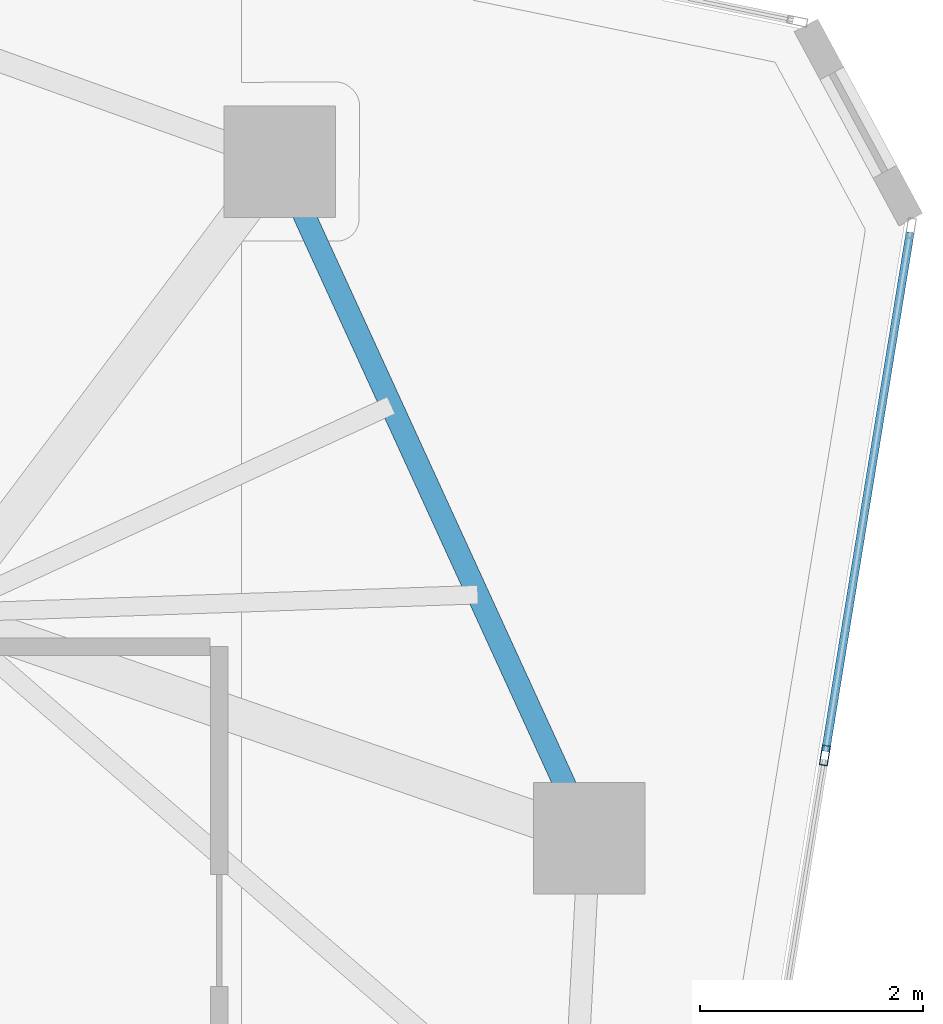
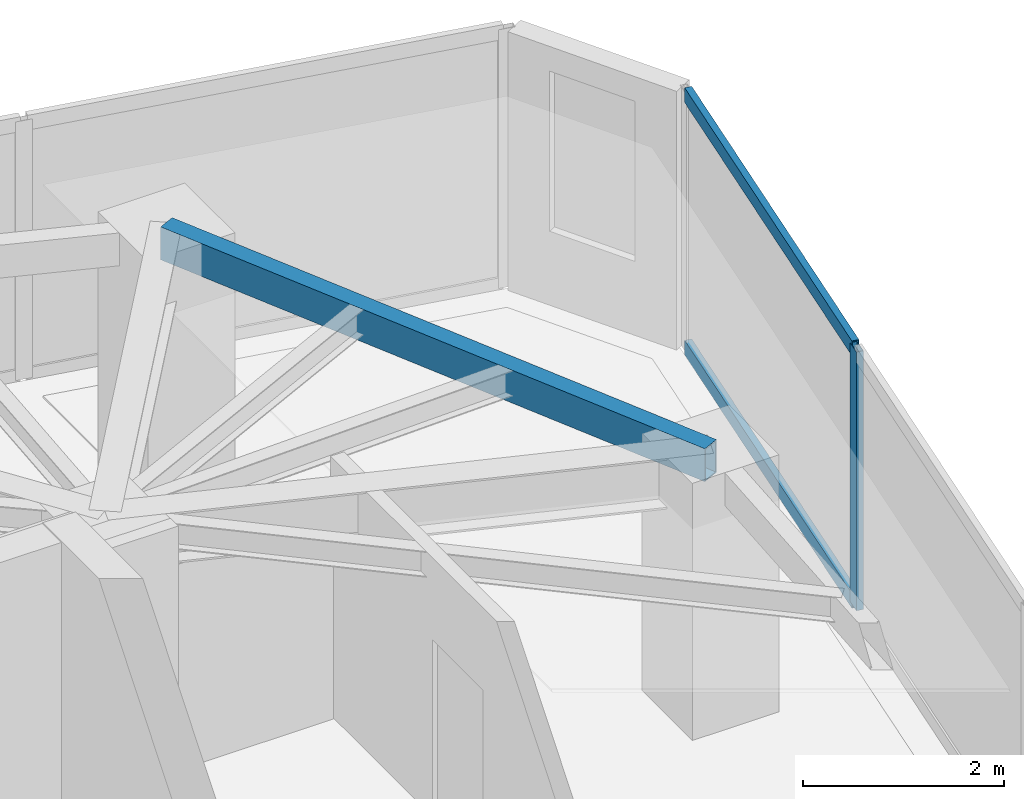
# One storey, part 12 of 20: 3 members, 1 beam, 1 element without a shape of its own.
"""IFC4 building model written with IfcOpenShell, lengths in metres."""

from ifc_helpers import new_model, si_unit, direction, frame, origin, origin_2d, place, context, subcontext, project, spatial, hollow_rectangle, extrude, source, transform, mapped, material, layer, layer_set, material_profile, profile_set, type_object, type_shapes, element, aggregate, save


model = new_model("IFC4")

# Units and contexts
model_context = context("Model", 3, precision=1e-05, world=origin(), true_north=direction((0.0, 1.0)))
body_context = subcontext(model_context, "Body", "Model", "MODEL_VIEW")
ifc_project = project(units=[si_unit("LENGTHUNIT", "METRE"), si_unit("AREAUNIT", "SQUARE_METRE"), si_unit("VOLUMEUNIT", "CUBIC_METRE"), si_unit("PLANEANGLEUNIT", "RADIAN"), si_unit("MASSUNIT", "GRAM", prefix="KILO")], contexts=[model_context])

# Site, building, storey
site_placement = place(None, origin())
site = spatial("IfcSite", under=ifc_project, at=site_placement, CompositionType="ELEMENT")
building_placement = place(site_placement, origin())
building = spatial("IfcBuilding", under=site, at=building_placement, Name="Talar Marvaseh", CompositionType="ELEMENT")
storey_placement = place(building_placement, frame((0.0, 0.0, 198.5)))
storey = spatial("IfcBuildingStorey", under=building, at=storey_placement, Name="L52", CompositionType="ELEMENT", Elevation=198.5)

# Beam
ifc_material_1 = material(Name="Steel S355", Category="steel")
ifc_material_profile_1 = material_profile(ifc_material_1, hollow_rectangle(XDim=0.199951171875, YDim=0.39990234375, WallThickness=0.013916015625, at=origin_2d()), Name="RHS400x200x14")
ifc_profile_set_1 = profile_set([ifc_material_profile_1], Name="Steel S355")
beam_type = type_object("IfcBeamType", Name="Zone 3 Perimeter Spandrel Beam RHS400x200x14", PredefinedType="SPANDREL", material=ifc_profile_set_1)
beam_placement = place(storey_placement, frame((36.341064453125, 40.94189453125, 2.949951171875), z_axis=(0.416090570719, -0.909323175202, 0.0), x_axis=(0.909323175202, 0.416090570719, 0.0)))
element("IfcBeam", 1, at=beam_placement, inside=storey, type_object=beam_type, Name="L52 Zone 3 Perimeter Spandrel Beam RHS400x200x14", PredefinedType="SPANDREL", context=body_context, shape_type="SweptSolid", body=[
    extrude(hollow_rectangle(XDim=0.199951171875, YDim=0.39990234375, WallThickness=0.013916015625, at=origin_2d()), origin(), (0.0, 0.0, 1.0), 6.661865234375),
])

# Curtain wall, members
ifc_material_2 = material(Name="Architectural Aluminium", Category="aluminium")
ifc_layer = layer(ifc_material_2, 0.18994140625)
ifc_layer_set = layer_set([ifc_layer], Name="Architectural Aluminium")
curtain_wall_type = type_object("IfcCurtainWallType", Name="Unitised Solar Atelier Curtain Wall Z3", PredefinedType="NOTDEFINED", material=ifc_layer_set)
curtain_wall_placement = place(storey_placement, origin())
curtain_wall = element("IfcCurtainWall", 2, at=curtain_wall_placement, inside=storey, type_object=curtain_wall_type, Name="L52 Unitised Solar Atelier Curtain Wall Z3", PredefinedType="NOTDEFINED")
ifc_material_profile_2 = material_profile(ifc_material_2, hollow_rectangle(XDim=0.074951171875, YDim=0.179931640625, WallThickness=0.0048828125, at=origin_2d()), Name="RHS180x75x5")
ifc_profile_set_2 = profile_set([ifc_material_profile_2], Name="Architectural Aluminium")
member_type_1 = type_object("IfcMemberType", Name="Unitised Curtain Wall Transom RHS180x75x5", PredefinedType="USERDEFINED", material=ifc_profile_set_2)
shared_shape_1 = source(origin(), body_context, "Body", "SweptSolid", [
    extrude(hollow_rectangle(XDim=0.074951171875, YDim=0.179931640625, WallThickness=0.0048828125, at=origin_2d()), origin(), (0.0, 0.0, 1.0), 4.70947265625),
])
type_shapes(member_type_1, [shared_shape_1])
member_1_placement = place(storey_placement, frame((41.986572265625, 40.310546875, 0.03759765625), z_axis=(-0.160858813852, -0.986977427303, 0.0), x_axis=(0.986977427303, -0.160858813852, 0.0)))
member_1 = element("IfcMember", 3, at=member_1_placement, type_object=member_type_1, Name="CW-Z3 transom 1.1", ObjectType="TRANSOM", PredefinedType="USERDEFINED", context=body_context, shape_type="MappedRepresentation", body=[
    mapped(shared_shape_1, transform((0.0, 0.0, 0.0), x_axis=(1.0, 0.0, 0.0), y_axis=(0.0, 1.0, 0.0), z_axis=(0.0, 0.0, 1.0), scale=1.0)),
])
member_2_placement = place(storey_placement, frame((41.986572265625, 40.310546875, 3.112548828125), z_axis=(-0.160858813852, -0.986977427303, 0.0), x_axis=(0.986977427303, -0.160858813852, 0.0)))
member_2 = element("IfcMember", 4, at=member_2_placement, type_object=member_type_1, Name="CW-Z3 transom 1.2", ObjectType="TRANSOM", PredefinedType="USERDEFINED", context=body_context, shape_type="MappedRepresentation", body=[
    mapped(shared_shape_1, transform((0.0, 0.0, 0.0), x_axis=(1.0, 0.0, 0.0), y_axis=(0.0, 1.0, 0.0), z_axis=(0.0, 0.0, 1.0), scale=1.0)),
])
ifc_material_profile_3 = material_profile(ifc_material_2, hollow_rectangle(XDim=0.074951171875, YDim=0.179931640625, WallThickness=0.0048828125, at=origin_2d()), Name="RHS180x75x5")
ifc_profile_set_3 = profile_set([ifc_material_profile_3], Name="Architectural Aluminium")
member_type_2 = type_object("IfcMemberType", Name="Unitised Curtain Wall Standard Mullion RHS180x75x5", PredefinedType="MULLION", material=ifc_profile_set_3)
shared_shape_2 = source(origin(), body_context, "Body", "SweptSolid", [
    extrude(hollow_rectangle(XDim=0.074951171875, YDim=0.179931640625, WallThickness=0.0048828125, at=origin_2d()), origin(), (0.0, 0.0, 1.0), 3.14990234375),
])
type_shapes(member_type_2, [shared_shape_2])
member_3_placement = place(storey_placement, frame((41.222900390625, 35.625244140625, 0.0), z_axis=(0.0, 0.0, 1.0), x_axis=(0.986971316934, -0.160896300608, 0.0)))
member_3 = element("IfcMember", 5, at=member_3_placement, type_object=member_type_2, Name="CW-Z3 mullion 2", PredefinedType="MULLION", context=body_context, shape_type="MappedRepresentation", body=[
    mapped(shared_shape_2, transform((0.0, 0.0, 0.0), x_axis=(1.0, 0.0, 0.0), y_axis=(0.0, 1.0, 0.0), z_axis=(0.0, 0.0, 1.0), scale=1.0)),
])
aggregate(curtain_wall, [member_3, member_1, member_2])

save(model, "model.ifc")
